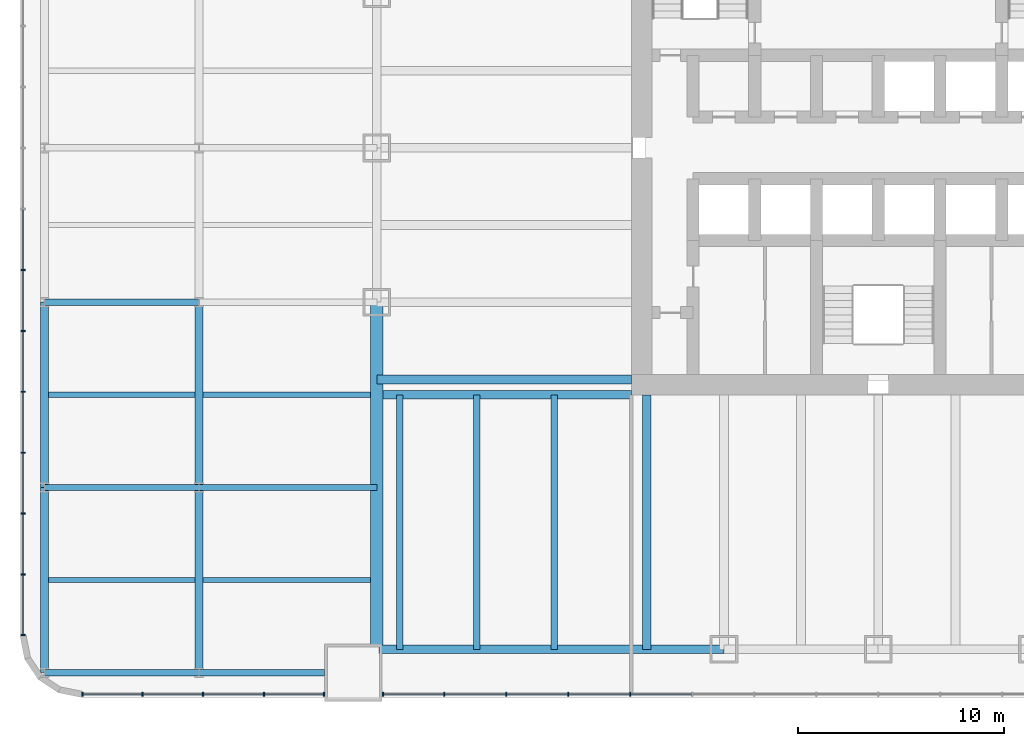
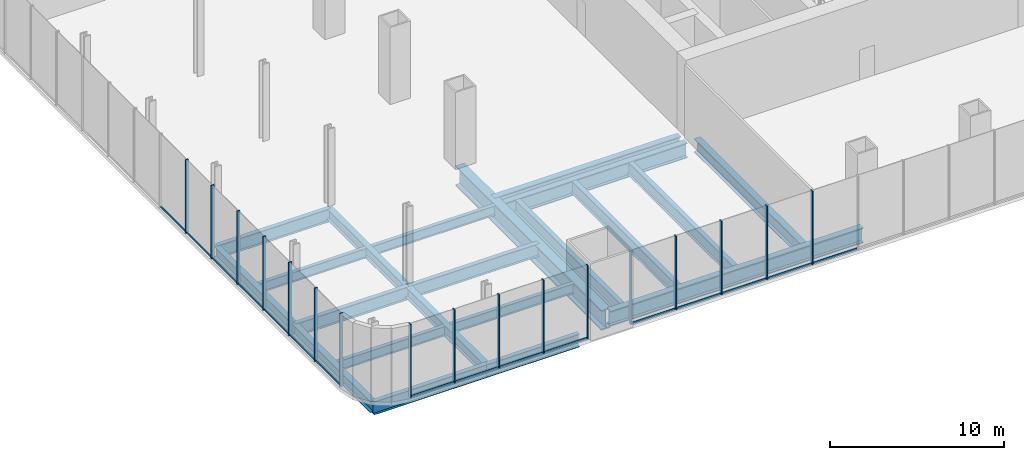
# One storey, part 2 of 16: 33 members, 21 beams, 3 elements without a shape of their own.
"""IFC4 building model written with IfcOpenShell, lengths in metres."""

from ifc_helpers import new_model, si_unit, direction, frame, origin, origin_2d, place, context, subcontext, project, spatial, rectangle, i_section, extrude, material, material_profile, profile_set, type_object, element, aggregate, save


model = new_model("IFC4")

# Units and contexts
model_context = context("Model", 3, precision=1e-05, world=origin(), true_north=direction((0.0, 1.0)))
body_context = subcontext(model_context, "Body", "Model", "MODEL_VIEW")
ifc_project = project(units=[si_unit("LENGTHUNIT", "METRE"), si_unit("AREAUNIT", "SQUARE_METRE"), si_unit("VOLUMEUNIT", "CUBIC_METRE"), si_unit("PLANEANGLEUNIT", "RADIAN"), si_unit("MASSUNIT", "GRAM", prefix="KILO")], contexts=[model_context])

# Site, building, storey
site_placement = place(None, origin())
site = spatial("IfcSite", under=ifc_project, at=site_placement, CompositionType="ELEMENT")
building_placement = place(site_placement, origin())
building = spatial("IfcBuilding", under=site, at=building_placement, Name="Tarangal Relay Tower", CompositionType="ELEMENT")
storey_placement = place(building_placement, frame((0.0, 0.0, 12.60009765625)))
storey = spatial("IfcBuildingStorey", under=building, at=storey_placement, Name="L02", CompositionType="ELEMENT", Elevation=12.60009765625)

# Beams
ifc_material_1 = material(Name="Steel ASTM A992", Category="steel")
ifc_material_profile_1 = material_profile(ifc_material_1, i_section(OverallWidth=0.307373046875, OverallDepth=0.927001953125, WebThickness=0.019287109375, FlangeThickness=0.031982421875, at=origin_2d()), Name="W36X194")
ifc_profile_set_1 = profile_set([ifc_material_profile_1], Name="Steel ASTM A992")
beam_type_1 = type_object("IfcBeamType", Name="Corner beam W36X194", PredefinedType="JOIST", material=ifc_profile_set_1)
for number, where, z_axis, x_axis, name in (
    (1, (-15.75, -12.0, -0.713623046875), (0.0, -1.0, 0.0), (1.0, 0.0, 0.0), "Corner beam CB10 S L02"),
    (2, (-19.5, -12.0, -0.713623046875), (0.0, -1.0, 0.0), (1.0, 0.0, 0.0), "Corner beam CB10 S L02"),
    (3, (-23.25, -12.0, -0.713623046875), (0.0, -1.0, 0.0), (1.0, 0.0, 0.0), "Corner beam CB10 S L02"),
):
    element("IfcBeam", number, at=place(storey_placement, frame(where, z_axis=z_axis, x_axis=x_axis)), inside=storey, type_object=beam_type_1, Name=name, PredefinedType="JOIST", context=body_context, shape_type="SweptSolid", body=[
        extrude(i_section(OverallWidth=0.307373046875, OverallDepth=0.927001953125, WebThickness=0.019287109375, FlangeThickness=0.031982421875, at=origin_2d()), origin(), (0.0, 0.0, 1.0), 12.364990234375),
    ])
ifc_material_profile_2 = material_profile(ifc_material_1, i_section(OverallWidth=0.408935546875, OverallDepth=1.04150390625, WebThickness=0.031005859375, FlangeThickness=0.055908203125, at=origin_2d()), Name="W40X397")
ifc_profile_set_2 = profile_set([ifc_material_profile_2], Name="Steel ASTM A992")
beam_type_2 = type_object("IfcBeamType", Name="Corner girder W40X397", PredefinedType="BEAM", material=ifc_profile_set_2)
beam_1_placement = place(storey_placement, frame((-12.0, -12.0, -0.770751953125), z_axis=(-1.0, 0.0, 0.0), x_axis=(0.0, -1.0, 0.0)))
element("IfcBeam", 4, at=beam_1_placement, inside=storey, type_object=beam_type_2, Name="Corner girder CG1 S L02", PredefinedType="BEAM", context=body_context, shape_type="SweptSolid", body=[
    extrude(i_section(OverallWidth=0.408935546875, OverallDepth=1.04150390625, WebThickness=0.031005859375, FlangeThickness=0.055908203125, at=origin_2d()), origin(), (0.0, 0.0, 1.0), 12.06494140625),
])
ifc_material_profile_3 = material_profile(ifc_material_1, i_section(OverallWidth=0.41650390625, OverallDepth=1.0693359375, WebThickness=0.0390625, FlangeThickness=0.070068359375, at=origin_2d()), Name="W40X503")
ifc_profile_set_3 = profile_set([ifc_material_profile_3], Name="Steel ASTM A992")
beam_type_3 = type_object("IfcBeamType", Name="Edge girder W40X503", PredefinedType="SPANDREL", material=ifc_profile_set_3)
beam_2_placement = place(storey_placement, frame((-7.5, -24.364990234375, -0.78466796875), z_axis=(-1.0, 0.0, 0.0), x_axis=(0.0, -1.0, 0.0)))
element("IfcBeam", 5, at=beam_2_placement, inside=storey, type_object=beam_type_3, Name="Edge girder EG8 S L02", PredefinedType="SPANDREL", context=body_context, shape_type="SweptSolid", body=[
    extrude(i_section(OverallWidth=0.41650390625, OverallDepth=1.0693359375, WebThickness=0.0390625, FlangeThickness=0.070068359375, at=origin_2d()), origin(), (0.0, 0.0, 1.0), 16.75),
])
ifc_material_profile_4 = material_profile(ifc_material_1, i_section(OverallWidth=0.42431640625, OverallDepth=0.947509765625, WebThickness=0.02392578125, FlangeThickness=0.042724609375, at=origin_2d()), Name="W36X302")
ifc_profile_set_4 = profile_set([ifc_material_profile_4], Name="Steel ASTM A992")
beam_type_4 = type_object("IfcBeamType", Name="Floor beam W36X302", PredefinedType="BEAM", material=ifc_profile_set_4)
for number, where, z_axis, x_axis, name in (
    (6, (-11.25, -12.0, -0.723876953125), (0.0, -1.0, 0.0), (1.0, 0.0, 0.0), "Floor beam RB10 S L02"),
    (7, (-12.0, -11.25, -0.723876953125), (-1.0, 0.0, 0.0), (0.0, -1.0, 0.0), "Floor beam RB10 W L02"),
):
    element("IfcBeam", number, at=place(storey_placement, frame(where, z_axis=z_axis, x_axis=x_axis)), inside=storey, type_object=beam_type_4, Name=name, PredefinedType="BEAM", context=body_context, shape_type="SweptSolid", body=[
        extrude(i_section(OverallWidth=0.42431640625, OverallDepth=0.947509765625, WebThickness=0.02392578125, FlangeThickness=0.042724609375, at=origin_2d()), origin(), (0.0, 0.0, 1.0), 12.364990234375),
    ])

# Curtain wall, members
ifc_material_2 = material(Name="Unitised curtain wall, dark glass and black aluminium", Category="aluminium")
curtain_wall_type = type_object("IfcCurtainWallType", Name="Curtain wall CW-P", PredefinedType="USERDEFINED", material=ifc_material_2)
curtain_wall_1_placement = place(storey_placement, origin())
curtain_wall_1 = element("IfcCurtainWall", 8, at=curtain_wall_1_placement, inside=storey, type_object=curtain_wall_type, Name="Curtain wall CW-P Podium W facade L02", ObjectType="UNITISED CURTAIN WALL", PredefinedType="USERDEFINED")
ifc_material_3 = material(Name="Black anodised aluminium mullion", Category="aluminium")
ifc_material_profile_5 = material_profile(ifc_material_3, rectangle(XDim=0.199951171875, YDim=0.070068359375, at=origin_2d()), Name="CW-PM 70X200")
ifc_profile_set_5 = profile_set([ifc_material_profile_5], Name="Black anodised aluminium mullion")
member_type_1 = type_object("IfcMemberType", Name="Mullion CW-P 70 x 200", PredefinedType="MULLION", material=ifc_profile_set_5)
member_1_placement = place(storey_placement, frame((-41.550048828125, -5.925048828125, 0.0), z_axis=(0.0, 0.0, 1.0), x_axis=(1.0, 0.0, 0.0)))
member_1 = element("IfcMember", 9, at=member_1_placement, type_object=member_type_1, Name="CW-P mullion 11", PredefinedType="MULLION", context=body_context, shape_type="SweptSolid", body=[
    extrude(rectangle(XDim=0.199951171875, YDim=0.070068359375, at=origin_2d()), origin(), (0.0, 0.0, 1.0), 5.14990234375),
])
member_2_placement = place(storey_placement, frame((-41.550048828125, -8.887451171875, 0.0), z_axis=(0.0, 0.0, 1.0), x_axis=(1.0, 0.0, 0.0)))
member_2 = element("IfcMember", 10, at=member_2_placement, type_object=member_type_1, Name="CW-P mullion 12", PredefinedType="MULLION", context=body_context, shape_type="SweptSolid", body=[
    extrude(rectangle(XDim=0.199951171875, YDim=0.070068359375, at=origin_2d()), origin(), (0.0, 0.0, 1.0), 5.14990234375),
])
member_3_placement = place(storey_placement, frame((-41.550048828125, -11.85009765625, 0.0), z_axis=(0.0, 0.0, 1.0), x_axis=(1.0, 0.0, 0.0)))
member_3 = element("IfcMember", 11, at=member_3_placement, type_object=member_type_1, Name="CW-P mullion 13", PredefinedType="MULLION", context=body_context, shape_type="SweptSolid", body=[
    extrude(rectangle(XDim=0.199951171875, YDim=0.070068359375, at=origin_2d()), origin(), (0.0, 0.0, 1.0), 5.14990234375),
])
member_4_placement = place(storey_placement, frame((-41.550048828125, -14.8125, 0.0), z_axis=(0.0, 0.0, 1.0), x_axis=(1.0, 0.0, 0.0)))
member_4 = element("IfcMember", 12, at=member_4_placement, type_object=member_type_1, Name="CW-P mullion 14", PredefinedType="MULLION", context=body_context, shape_type="SweptSolid", body=[
    extrude(rectangle(XDim=0.199951171875, YDim=0.070068359375, at=origin_2d()), origin(), (0.0, 0.0, 1.0), 5.14990234375),
])
member_5_placement = place(storey_placement, frame((-41.550048828125, -17.77490234375, 0.0), z_axis=(0.0, 0.0, 1.0), x_axis=(1.0, 0.0, 0.0)))
member_5 = element("IfcMember", 13, at=member_5_placement, type_object=member_type_1, Name="CW-P mullion 15", PredefinedType="MULLION", context=body_context, shape_type="SweptSolid", body=[
    extrude(rectangle(XDim=0.199951171875, YDim=0.070068359375, at=origin_2d()), origin(), (0.0, 0.0, 1.0), 5.14990234375),
])
member_6_placement = place(storey_placement, frame((-41.550048828125, -20.737548828125, 0.0), z_axis=(0.0, 0.0, 1.0), x_axis=(1.0, 0.0, 0.0)))
member_6 = element("IfcMember", 14, at=member_6_placement, type_object=member_type_1, Name="CW-P mullion 16", PredefinedType="MULLION", context=body_context, shape_type="SweptSolid", body=[
    extrude(rectangle(XDim=0.199951171875, YDim=0.070068359375, at=origin_2d()), origin(), (0.0, 0.0, 1.0), 5.14990234375),
])
member_7_placement = place(storey_placement, frame((-41.550048828125, -23.6650390625, 0.0), z_axis=(0.0, 0.0, 1.0), x_axis=(1.0, 0.0, 0.0)))
member_7 = element("IfcMember", 15, at=member_7_placement, type_object=member_type_1, Name="CW-P mullion 17", PredefinedType="MULLION", context=body_context, shape_type="SweptSolid", body=[
    extrude(rectangle(XDim=0.199951171875, YDim=0.070068359375, at=origin_2d()), origin(), (0.0, 0.0, 1.0), 5.14990234375),
])

curtain_wall_2_placement = place(storey_placement, origin())
curtain_wall_2 = element("IfcCurtainWall", 16, at=curtain_wall_2_placement, inside=storey, type_object=curtain_wall_type, Name="Curtain wall CW-P Podium S facade L02", ObjectType="UNITISED CURTAIN WALL", PredefinedType="USERDEFINED")
member_8_placement = place(storey_placement, frame((-38.6650390625, -26.550048828125, 0.0), z_axis=(0.0, 0.0, 1.0), x_axis=(0.0, 1.0, 0.0)))
member_8 = element("IfcMember", 17, at=member_8_placement, type_object=member_type_1, Name="CW-P mullion 1", PredefinedType="MULLION", context=body_context, shape_type="SweptSolid", body=[
    extrude(rectangle(XDim=0.199951171875, YDim=0.070068359375, at=origin_2d()), origin(), (0.0, 0.0, 1.0), 5.14990234375),
])
member_9_placement = place(storey_placement, frame((-35.75, -26.550048828125, 0.0), z_axis=(0.0, 0.0, 1.0), x_axis=(0.0, 1.0, 0.0)))
member_9 = element("IfcMember", 18, at=member_9_placement, type_object=member_type_1, Name="CW-P mullion 2", PredefinedType="MULLION", context=body_context, shape_type="SweptSolid", body=[
    extrude(rectangle(XDim=0.199951171875, YDim=0.070068359375, at=origin_2d()), origin(), (0.0, 0.0, 1.0), 5.14990234375),
])
member_10_placement = place(storey_placement, frame((-32.800048828125, -26.550048828125, 0.0), z_axis=(0.0, 0.0, 1.0), x_axis=(0.0, 1.0, 0.0)))
member_10 = element("IfcMember", 19, at=member_10_placement, type_object=member_type_1, Name="CW-P mullion 3", PredefinedType="MULLION", context=body_context, shape_type="SweptSolid", body=[
    extrude(rectangle(XDim=0.199951171875, YDim=0.070068359375, at=origin_2d()), origin(), (0.0, 0.0, 1.0), 5.14990234375),
])
member_11_placement = place(storey_placement, frame((-29.85009765625, -26.550048828125, 0.0), z_axis=(0.0, 0.0, 1.0), x_axis=(0.0, 1.0, 0.0)))
member_11 = element("IfcMember", 20, at=member_11_placement, type_object=member_type_1, Name="CW-P mullion 4", PredefinedType="MULLION", context=body_context, shape_type="SweptSolid", body=[
    extrude(rectangle(XDim=0.199951171875, YDim=0.070068359375, at=origin_2d()), origin(), (0.0, 0.0, 1.0), 5.14990234375),
])
member_12_placement = place(storey_placement, frame((-26.93505859375, -26.550048828125, 0.0), z_axis=(0.0, 0.0, 1.0), x_axis=(0.0, 1.0, 0.0)))
member_12 = element("IfcMember", 21, at=member_12_placement, type_object=member_type_1, Name="CW-P mullion 5", PredefinedType="MULLION", context=body_context, shape_type="SweptSolid", body=[
    extrude(rectangle(XDim=0.199951171875, YDim=0.070068359375, at=origin_2d()), origin(), (0.0, 0.0, 1.0), 5.14990234375),
])

curtain_wall_3_placement = place(storey_placement, origin())
curtain_wall_3 = element("IfcCurtainWall", 22, at=curtain_wall_3_placement, inside=storey, type_object=curtain_wall_type, Name="Curtain wall CW-P Podium S facade L02", ObjectType="UNITISED CURTAIN WALL", PredefinedType="USERDEFINED")
member_13_placement = place(storey_placement, frame((-24.06494140625, -26.550048828125, 0.0), z_axis=(0.0, 0.0, 1.0), x_axis=(0.0, 1.0, 0.0)))
member_13 = element("IfcMember", 23, at=member_13_placement, type_object=member_type_1, Name="CW-P mullion 1", PredefinedType="MULLION", context=body_context, shape_type="SweptSolid", body=[
    extrude(rectangle(XDim=0.199951171875, YDim=0.070068359375, at=origin_2d()), origin(), (0.0, 0.0, 1.0), 5.14990234375),
])
member_14_placement = place(storey_placement, frame((-21.08740234375, -26.550048828125, 0.0), z_axis=(0.0, 0.0, 1.0), x_axis=(0.0, 1.0, 0.0)))
member_14 = element("IfcMember", 24, at=member_14_placement, type_object=member_type_1, Name="CW-P mullion 2", PredefinedType="MULLION", context=body_context, shape_type="SweptSolid", body=[
    extrude(rectangle(XDim=0.199951171875, YDim=0.070068359375, at=origin_2d()), origin(), (0.0, 0.0, 1.0), 5.14990234375),
])
member_15_placement = place(storey_placement, frame((-18.074951171875, -26.550048828125, 0.0), z_axis=(0.0, 0.0, 1.0), x_axis=(0.0, 1.0, 0.0)))
member_15 = element("IfcMember", 25, at=member_15_placement, type_object=member_type_1, Name="CW-P mullion 3", PredefinedType="MULLION", context=body_context, shape_type="SweptSolid", body=[
    extrude(rectangle(XDim=0.199951171875, YDim=0.070068359375, at=origin_2d()), origin(), (0.0, 0.0, 1.0), 5.14990234375),
])
member_16_placement = place(storey_placement, frame((-15.0625, -26.550048828125, 0.0), z_axis=(0.0, 0.0, 1.0), x_axis=(0.0, 1.0, 0.0)))
member_16 = element("IfcMember", 26, at=member_16_placement, type_object=member_type_1, Name="CW-P mullion 4", PredefinedType="MULLION", context=body_context, shape_type="SweptSolid", body=[
    extrude(rectangle(XDim=0.199951171875, YDim=0.070068359375, at=origin_2d()), origin(), (0.0, 0.0, 1.0), 5.14990234375),
])
member_17_placement = place(storey_placement, frame((-12.050048828125, -26.550048828125, 0.0), z_axis=(0.0, 0.0, 1.0), x_axis=(0.0, 1.0, 0.0)))
member_17 = element("IfcMember", 27, at=member_17_placement, type_object=member_type_1, Name="CW-P mullion 5", PredefinedType="MULLION", context=body_context, shape_type="SweptSolid", body=[
    extrude(rectangle(XDim=0.199951171875, YDim=0.070068359375, at=origin_2d()), origin(), (0.0, 0.0, 1.0), 5.14990234375),
])

# Beams
ifc_material_profile_6 = material_profile(ifc_material_1, i_section(OverallWidth=0.3046875, OverallDepth=0.911865234375, WebThickness=0.015869140625, FlangeThickness=0.02392578125, at=origin_2d()), Name="W36X150")
ifc_profile_set_6 = profile_set([ifc_material_profile_6], Name="Steel ASTM A992")
beam_type_5 = type_object("IfcBeamType", Name="Podium beam W36X150", PredefinedType="BEAM", material=ifc_profile_set_6)
beam_3_placement = place(storey_placement, frame((-26.89990234375, -25.5, -0.7060546875), z_axis=(-1.0, 0.0, 0.0), x_axis=(0.0, -1.0, 0.0)))
element("IfcBeam", 28, at=beam_3_placement, inside=storey, type_object=beam_type_5, Name="Podium beam PB1 L02", PredefinedType="BEAM", context=body_context, shape_type="SweptSolid", body=[
    extrude(i_section(OverallWidth=0.3046875, OverallDepth=0.911865234375, WebThickness=0.015869140625, FlangeThickness=0.02392578125, at=origin_2d()), origin(), (0.0, 0.0, 1.0), 6.10009765625),
])
beam_4_placement = place(storey_placement, frame((-33.0, -25.5, -0.7060546875), z_axis=(-1.0, 0.0, 0.0), x_axis=(0.0, -1.0, 0.0)))
element("IfcBeam", 29, at=beam_4_placement, inside=storey, type_object=beam_type_5, Name="Podium beam PB1 L02", PredefinedType="BEAM", context=body_context, shape_type="SweptSolid", body=[
    extrude(i_section(OverallWidth=0.3046875, OverallDepth=0.911865234375, WebThickness=0.015869140625, FlangeThickness=0.02392578125, at=origin_2d()), origin(), (0.0, 0.0, 1.0), 7.5),
])
beam_5_placement = place(storey_placement, frame((-24.364990234375, -16.5, -0.7060546875), z_axis=(-1.0, 0.0, 0.0), x_axis=(0.0, -1.0, 0.0)))
element("IfcBeam", 30, at=beam_5_placement, inside=storey, type_object=beam_type_5, Name="Podium beam PB1 L02", PredefinedType="BEAM", context=body_context, shape_type="SweptSolid", body=[
    extrude(i_section(OverallWidth=0.3046875, OverallDepth=0.911865234375, WebThickness=0.015869140625, FlangeThickness=0.02392578125, at=origin_2d()), origin(), (0.0, 0.0, 1.0), 8.635009765625),
])
for number, where, z_axis, x_axis, name in (
    (31, (-33.0, -16.5, -0.7060546875), (-1.0, 0.0, 0.0), (0.0, -1.0, 0.0), "Podium beam PB1 L02"),
    (32, (-33.0, -7.5, -0.7060546875), (-1.0, 0.0, 0.0), (0.0, -1.0, 0.0), "Podium beam PB1 L02"),
):
    element("IfcBeam", number, at=place(storey_placement, frame(where, z_axis=z_axis, x_axis=x_axis)), inside=storey, type_object=beam_type_5, Name=name, PredefinedType="BEAM", context=body_context, shape_type="SweptSolid", body=[
        extrude(i_section(OverallWidth=0.3046875, OverallDepth=0.911865234375, WebThickness=0.015869140625, FlangeThickness=0.02392578125, at=origin_2d()), origin(), (0.0, 0.0, 1.0), 7.5),
    ])
ifc_material_profile_7 = material_profile(ifc_material_1, i_section(OverallWidth=0.383544921875, OverallDepth=0.784912109375, WebThickness=0.019775390625, FlangeThickness=0.033447265625, at=origin_2d()), Name="W30X211")
ifc_profile_set_7 = profile_set([ifc_material_profile_7], Name="Steel ASTM A992")
beam_type_6 = type_object("IfcBeamType", Name="Podium girder W30X211", PredefinedType="BEAM", material=ifc_profile_set_7)
for number, where, z_axis, x_axis, name in (
    (33, (-33.0, -25.5, -0.642578125), (0.0, 1.0, 0.0), (-1.0, 0.0, 0.0), "Podium girder PG1 L02"),
    (34, (-33.0, -16.5, -0.642578125), (0.0, 1.0, 0.0), (-1.0, 0.0, 0.0), "Podium girder PG1 L02"),
    (35, (-40.5, -25.5, -0.642578125), (0.0, 1.0, 0.0), (-1.0, 0.0, 0.0), "Podium girder PG1 L02"),
    (36, (-40.5, -16.5, -0.642578125), (0.0, 1.0, 0.0), (-1.0, 0.0, 0.0), "Podium girder PG1 L02"),
):
    element("IfcBeam", number, at=place(storey_placement, frame(where, z_axis=z_axis, x_axis=x_axis)), inside=storey, type_object=beam_type_6, Name=name, PredefinedType="BEAM", context=body_context, shape_type="SweptSolid", body=[
        extrude(i_section(OverallWidth=0.383544921875, OverallDepth=0.784912109375, WebThickness=0.019775390625, FlangeThickness=0.033447265625, at=origin_2d()), origin(), (0.0, 0.0, 1.0), 9.0),
    ])
ifc_material_profile_8 = material_profile(ifc_material_1, i_section(OverallWidth=0.25390625, OverallDepth=0.683349609375, WebThickness=0.012451171875, FlangeThickness=0.018798828125, at=origin_2d()), Name="W27X94")
ifc_profile_set_8 = profile_set([ifc_material_profile_8], Name="Steel ASTM A992")
beam_type_7 = type_object("IfcBeamType", Name="Podium joist W27X94", PredefinedType="JOIST", material=ifc_profile_set_8)
beam_6_placement = place(storey_placement, frame((-24.6650390625, -21.0, -0.591796875), z_axis=(-1.0, 0.0, 0.0), x_axis=(0.0, -1.0, 0.0)))
element("IfcBeam", 37, at=beam_6_placement, inside=storey, type_object=beam_type_7, Name="Podium joist PJ1 L02", PredefinedType="JOIST", context=body_context, shape_type="SweptSolid", body=[
    extrude(i_section(OverallWidth=0.25390625, OverallDepth=0.683349609375, WebThickness=0.012451171875, FlangeThickness=0.018798828125, at=origin_2d()), origin(), (0.0, 0.0, 1.0), 8.14404296875),
])
beam_7_placement = place(storey_placement, frame((-33.19091796875, -21.0, -0.591796875), z_axis=(-1.0, 0.0, 0.0), x_axis=(0.0, -1.0, 0.0)))
element("IfcBeam", 38, at=beam_7_placement, inside=storey, type_object=beam_type_7, Name="Podium joist PJ1 L02", PredefinedType="JOIST", context=body_context, shape_type="SweptSolid", body=[
    extrude(i_section(OverallWidth=0.25390625, OverallDepth=0.683349609375, WebThickness=0.012451171875, FlangeThickness=0.018798828125, at=origin_2d()), origin(), (0.0, 0.0, 1.0), 7.1181640625),
])
beam_8_placement = place(storey_placement, frame((-24.6650390625, -12.0, -0.591796875), z_axis=(-1.0, 0.0, 0.0), x_axis=(0.0, -1.0, 0.0)))
element("IfcBeam", 39, at=beam_8_placement, inside=storey, type_object=beam_type_7, Name="Podium joist PJ1 L02", PredefinedType="JOIST", context=body_context, shape_type="SweptSolid", body=[
    extrude(i_section(OverallWidth=0.25390625, OverallDepth=0.683349609375, WebThickness=0.012451171875, FlangeThickness=0.018798828125, at=origin_2d()), origin(), (0.0, 0.0, 1.0), 8.14404296875),
])
beam_9_placement = place(storey_placement, frame((-33.19091796875, -12.0, -0.591796875), z_axis=(-1.0, 0.0, 0.0), x_axis=(0.0, -1.0, 0.0)))
element("IfcBeam", 40, at=beam_9_placement, inside=storey, type_object=beam_type_7, Name="Podium joist PJ1 L02", PredefinedType="JOIST", context=body_context, shape_type="SweptSolid", body=[
    extrude(i_section(OverallWidth=0.25390625, OverallDepth=0.683349609375, WebThickness=0.012451171875, FlangeThickness=0.018798828125, at=origin_2d()), origin(), (0.0, 0.0, 1.0), 7.1181640625),
])
ifc_material_4 = material(Name="Steel ASTM A572 Grade 50", Category="steel")
ifc_material_profile_9 = material_profile(ifc_material_4, i_section(OverallWidth=0.60009765625, OverallDepth=1.39990234375, WebThickness=0.030029296875, FlangeThickness=0.080078125, at=origin_2d()), Name="PG1400X600X80X30")
ifc_profile_set_9 = profile_set([ifc_material_profile_9], Name="Steel ASTM A572 Grade 50")
beam_type_8 = type_object("IfcBeamType", Name="Transfer girder PG1400X600X80X30", PredefinedType="SPANDREL", material=ifc_profile_set_9)
beam_10_placement = place(storey_placement, frame((-24.364990234375, -24.25, -0.9501953125), z_axis=(0.0, 1.0, 0.0), x_axis=(-1.0, 0.0, 0.0)))
element("IfcBeam", 41, at=beam_10_placement, inside=storey, type_object=beam_type_8, Name="Transfer girder TG1 W L02", PredefinedType="SPANDREL", context=body_context, shape_type="SweptSolid", body=[
    extrude(i_section(OverallWidth=0.60009765625, OverallDepth=1.39990234375, WebThickness=0.030029296875, FlangeThickness=0.080078125, at=origin_2d()), origin(), (0.0, 0.0, 1.0), 16.75),
])

# Member
ifc_material_5 = material(Name="Black anodised aluminium transom", Category="aluminium")
ifc_material_profile_10 = material_profile(ifc_material_5, rectangle(XDim=0.070068359375, YDim=0.159912109375, at=origin_2d()), Name="CW-PT 70X160")
ifc_profile_set_10 = profile_set([ifc_material_profile_10], Name="Black anodised aluminium transom")
member_type_2 = type_object("IfcMemberType", Name="Transom CW-P 70 x 160", PredefinedType="USERDEFINED", material=ifc_profile_set_10)
member_18_placement = place(storey_placement, frame((-41.550048828125, -2.99755859375, 0.034912109375), z_axis=(0.0, -1.0, 0.0), x_axis=(1.0, 0.0, 0.0)))
member_18 = element("IfcMember", 42, at=member_18_placement, type_object=member_type_2, Name="CW-P transom 10.1", ObjectType="TRANSOM", PredefinedType="USERDEFINED", context=body_context, shape_type="SweptSolid", body=[
    extrude(rectangle(XDim=0.070068359375, YDim=0.159912109375, at=origin_2d()), origin(), (0.0, 0.0, 1.0), 2.892333984375),
])

member_19_placement = place(storey_placement, frame((-41.550048828125, -5.9599609375, 0.034912109375), z_axis=(0.0, -1.0, 0.0), x_axis=(1.0, 0.0, 0.0)))
member_19 = element("IfcMember", 43, at=member_19_placement, type_object=member_type_2, Name="CW-P transom 11.1", ObjectType="TRANSOM", PredefinedType="USERDEFINED", context=body_context, shape_type="SweptSolid", body=[
    extrude(rectangle(XDim=0.070068359375, YDim=0.159912109375, at=origin_2d()), origin(), (0.0, 0.0, 1.0), 2.892578125),
])

member_20_placement = place(storey_placement, frame((-41.550048828125, -8.922607421875, 0.034912109375), z_axis=(0.0, -1.0, 0.0), x_axis=(1.0, 0.0, 0.0)))
member_20 = element("IfcMember", 44, at=member_20_placement, type_object=member_type_2, Name="CW-P transom 12.1", ObjectType="TRANSOM", PredefinedType="USERDEFINED", context=body_context, shape_type="SweptSolid", body=[
    extrude(rectangle(XDim=0.070068359375, YDim=0.159912109375, at=origin_2d()), origin(), (0.0, 0.0, 1.0), 2.892333984375),
])

member_21_placement = place(storey_placement, frame((-41.550048828125, -11.885009765625, 0.034912109375), z_axis=(0.0, -1.0, 0.0), x_axis=(1.0, 0.0, 0.0)))
member_21 = element("IfcMember", 45, at=member_21_placement, type_object=member_type_2, Name="CW-P transom 13.1", ObjectType="TRANSOM", PredefinedType="USERDEFINED", context=body_context, shape_type="SweptSolid", body=[
    extrude(rectangle(XDim=0.070068359375, YDim=0.159912109375, at=origin_2d()), origin(), (0.0, 0.0, 1.0), 2.892578125),
])

member_22_placement = place(storey_placement, frame((-41.550048828125, -14.847412109375, 0.034912109375), z_axis=(0.0, -1.0, 0.0), x_axis=(1.0, 0.0, 0.0)))
member_22 = element("IfcMember", 46, at=member_22_placement, type_object=member_type_2, Name="CW-P transom 14.1", ObjectType="TRANSOM", PredefinedType="USERDEFINED", context=body_context, shape_type="SweptSolid", body=[
    extrude(rectangle(XDim=0.070068359375, YDim=0.159912109375, at=origin_2d()), origin(), (0.0, 0.0, 1.0), 2.892578125),
])

member_23_placement = place(storey_placement, frame((-41.550048828125, -17.81005859375, 0.034912109375), z_axis=(0.0, -1.0, 0.0), x_axis=(1.0, 0.0, 0.0)))
member_23 = element("IfcMember", 47, at=member_23_placement, type_object=member_type_2, Name="CW-P transom 15.1", ObjectType="TRANSOM", PredefinedType="USERDEFINED", context=body_context, shape_type="SweptSolid", body=[
    extrude(rectangle(XDim=0.070068359375, YDim=0.159912109375, at=origin_2d()), origin(), (0.0, 0.0, 1.0), 2.892333984375),
])

member_24_placement = place(storey_placement, frame((-41.550048828125, -20.7724609375, 0.034912109375), z_axis=(0.0, -1.0, 0.0), x_axis=(1.0, 0.0, 0.0)))
member_24 = element("IfcMember", 48, at=member_24_placement, type_object=member_type_2, Name="CW-P transom 16.1", ObjectType="TRANSOM", PredefinedType="USERDEFINED", context=body_context, shape_type="SweptSolid", body=[
    extrude(rectangle(XDim=0.070068359375, YDim=0.159912109375, at=origin_2d()), origin(), (0.0, 0.0, 1.0), 2.857421875),
])

aggregate(curtain_wall_1, [member_1, member_2, member_3, member_4, member_5, member_6, member_7, member_18, member_19, member_20, member_21, member_22, member_23, member_24])

member_25_placement = place(storey_placement, frame((-38.6298828125, -26.550048828125, 0.034912109375), z_axis=(1.0, 0.0, 0.0), x_axis=(0.0, 1.0, 0.0)))
member_25 = element("IfcMember", 49, at=member_25_placement, type_object=member_type_2, Name="CW-P transom 1.1", ObjectType="TRANSOM", PredefinedType="USERDEFINED", context=body_context, shape_type="SweptSolid", body=[
    extrude(rectangle(XDim=0.070068359375, YDim=0.159912109375, at=origin_2d()), origin(), (0.0, 0.0, 1.0), 2.844970703125),
])

member_26_placement = place(storey_placement, frame((-35.715087890625, -26.550048828125, 0.034912109375), z_axis=(1.0, 0.0, 0.0), x_axis=(0.0, 1.0, 0.0)))
member_26 = element("IfcMember", 50, at=member_26_placement, type_object=member_type_2, Name="CW-P transom 2.1", ObjectType="TRANSOM", PredefinedType="USERDEFINED", context=body_context, shape_type="SweptSolid", body=[
    extrude(rectangle(XDim=0.070068359375, YDim=0.159912109375, at=origin_2d()), origin(), (0.0, 0.0, 1.0), 2.880126953125),
])

member_27_placement = place(storey_placement, frame((-32.764892578125, -26.550048828125, 0.034912109375), z_axis=(1.0, 0.0, 0.0), x_axis=(0.0, 1.0, 0.0)))
member_27 = element("IfcMember", 51, at=member_27_placement, type_object=member_type_2, Name="CW-P transom 3.1", ObjectType="TRANSOM", PredefinedType="USERDEFINED", context=body_context, shape_type="SweptSolid", body=[
    extrude(rectangle(XDim=0.070068359375, YDim=0.159912109375, at=origin_2d()), origin(), (0.0, 0.0, 1.0), 2.8798828125),
])

member_28_placement = place(storey_placement, frame((-29.81494140625, -26.550048828125, 0.034912109375), z_axis=(1.0, 0.0, 0.0), x_axis=(0.0, 1.0, 0.0)))
member_28 = element("IfcMember", 52, at=member_28_placement, type_object=member_type_2, Name="CW-P transom 4.1", ObjectType="TRANSOM", PredefinedType="USERDEFINED", context=body_context, shape_type="SweptSolid", body=[
    extrude(rectangle(XDim=0.070068359375, YDim=0.159912109375, at=origin_2d()), origin(), (0.0, 0.0, 1.0), 2.844970703125),
])

aggregate(curtain_wall_2, [member_8, member_9, member_10, member_11, member_12, member_25, member_26, member_27, member_28])

member_29_placement = place(storey_placement, frame((-24.030029296875, -26.550048828125, 0.034912109375), z_axis=(1.0, 0.0, 0.0), x_axis=(0.0, 1.0, 0.0)))
member_29 = element("IfcMember", 53, at=member_29_placement, type_object=member_type_2, Name="CW-P transom 1.1", ObjectType="TRANSOM", PredefinedType="USERDEFINED", context=body_context, shape_type="SweptSolid", body=[
    extrude(rectangle(XDim=0.070068359375, YDim=0.159912109375, at=origin_2d()), origin(), (0.0, 0.0, 1.0), 2.907470703125),
])

member_30_placement = place(storey_placement, frame((-21.052490234375, -26.550048828125, 0.034912109375), z_axis=(1.0, 0.0, 0.0), x_axis=(0.0, 1.0, 0.0)))
member_30 = element("IfcMember", 54, at=member_30_placement, type_object=member_type_2, Name="CW-P transom 2.1", ObjectType="TRANSOM", PredefinedType="USERDEFINED", context=body_context, shape_type="SweptSolid", body=[
    extrude(rectangle(XDim=0.070068359375, YDim=0.159912109375, at=origin_2d()), origin(), (0.0, 0.0, 1.0), 2.9423828125),
])

member_31_placement = place(storey_placement, frame((-18.0400390625, -26.550048828125, 0.034912109375), z_axis=(1.0, 0.0, 0.0), x_axis=(0.0, 1.0, 0.0)))
member_31 = element("IfcMember", 55, at=member_31_placement, type_object=member_type_2, Name="CW-P transom 3.1", ObjectType="TRANSOM", PredefinedType="USERDEFINED", context=body_context, shape_type="SweptSolid", body=[
    extrude(rectangle(XDim=0.070068359375, YDim=0.159912109375, at=origin_2d()), origin(), (0.0, 0.0, 1.0), 2.942626953125),
])

member_32_placement = place(storey_placement, frame((-15.027587890625, -26.550048828125, 0.034912109375), z_axis=(1.0, 0.0, 0.0), x_axis=(0.0, 1.0, 0.0)))
member_32 = element("IfcMember", 56, at=member_32_placement, type_object=member_type_2, Name="CW-P transom 4.1", ObjectType="TRANSOM", PredefinedType="USERDEFINED", context=body_context, shape_type="SweptSolid", body=[
    extrude(rectangle(XDim=0.070068359375, YDim=0.159912109375, at=origin_2d()), origin(), (0.0, 0.0, 1.0), 2.942626953125),
])

member_33_placement = place(storey_placement, frame((-12.014892578125, -26.550048828125, 0.034912109375), z_axis=(1.0, 0.0, 0.0), x_axis=(0.0, 1.0, 0.0)))
member_33 = element("IfcMember", 57, at=member_33_placement, type_object=member_type_2, Name="CW-P transom 5.1", ObjectType="TRANSOM", PredefinedType="USERDEFINED", context=body_context, shape_type="SweptSolid", body=[
    extrude(rectangle(XDim=0.070068359375, YDim=0.159912109375, at=origin_2d()), origin(), (0.0, 0.0, 1.0), 2.9423828125),
])

aggregate(curtain_wall_3, [member_13, member_14, member_15, member_16, member_17, member_29, member_30, member_31, member_32, member_33])

save(model, "model.ifc")
